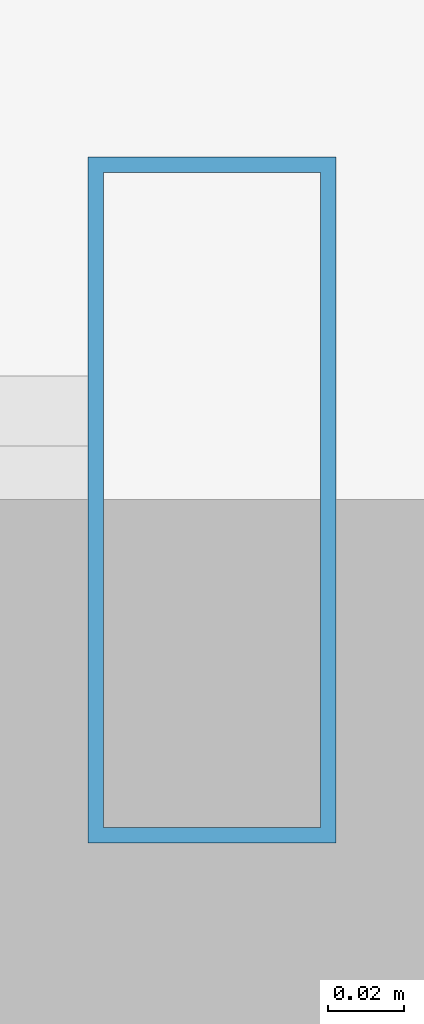
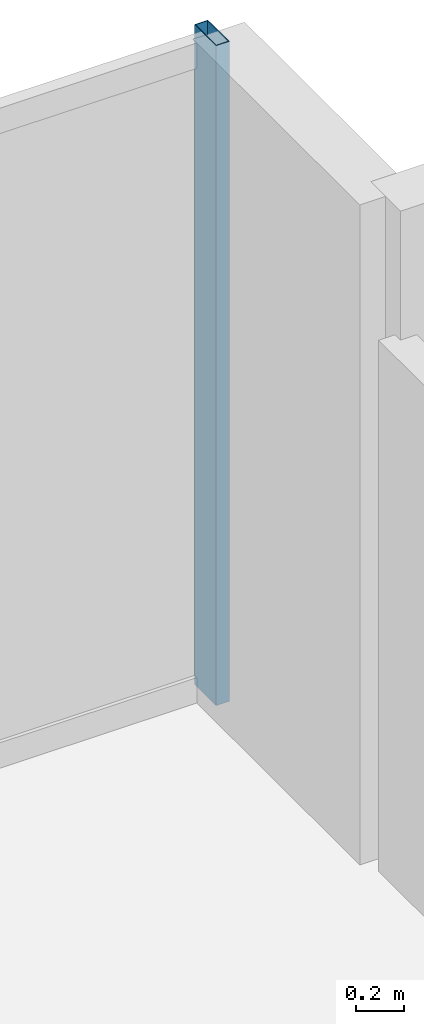
# One storey, part 25 of 39: 1 member, 1 element without a shape of its own.
"""IFC4 building model written with IfcOpenShell, lengths in metres."""

from ifc_helpers import new_model, si_unit, direction, frame, origin, origin_2d, place, context, subcontext, project, spatial, hollow_rectangle, extrude, source, transform, mapped, material, material_profile, profile_set, type_object, element, aggregate, save


model = new_model("IFC4")

# Units and contexts
model_context = context("Model", 3, precision=1e-05, world=origin(), true_north=direction((0.0, 1.0)))
body_context = subcontext(model_context, "Body", "Model", "MODEL_VIEW")
ifc_project = project(units=[si_unit("LENGTHUNIT", "METRE"), si_unit("AREAUNIT", "SQUARE_METRE"), si_unit("VOLUMEUNIT", "CUBIC_METRE"), si_unit("PLANEANGLEUNIT", "RADIAN"), si_unit("MASSUNIT", "GRAM", prefix="KILO")], contexts=[model_context])

# Site, building, storey
site_placement = place(None, origin())
site = spatial("IfcSite", under=ifc_project, at=site_placement, CompositionType="ELEMENT")
building_placement = place(site_placement, origin())
building = spatial("IfcBuilding", under=site, at=building_placement, Name="Nahalor Promenade Grand Hotel", CompositionType="ELEMENT")
storey_placement = place(building_placement, frame((0.0, 0.0, 135.75)))
storey = spatial("IfcBuildingStorey", under=building, at=storey_placement, Name="L34", CompositionType="ELEMENT", Elevation=135.75)

# Curtain wall, member
ifc_material = material(Name="Anodised Bronze Aluminium EN AW-6063 T6", Category="aluminium")
curtain_wall_type = type_object("IfcCurtainWallType", Name="CW2 Typical Hotel Flush Bronze Unitised Curtain Wall", PredefinedType="USERDEFINED", material=ifc_material)
curtain_wall_placement = place(storey_placement, origin())
curtain_wall = element("IfcCurtainWall", 1, at=curtain_wall_placement, inside=storey, type_object=curtain_wall_type, Name="L34 Curtain Wall CW-L34-N-3", ObjectType="UNITISED_CURTAIN_WALL", PredefinedType="USERDEFINED")
ifc_material_profile = material_profile(ifc_material, hollow_rectangle(XDim=0.065, YDim=0.18, WallThickness=0.004, at=origin_2d()), Name="CWM 65x180x4")
ifc_profile_set = profile_set([ifc_material_profile], Name="Anodised Bronze Aluminium EN AW-6063 T6")
member_type = type_object("IfcMemberType", Name="CWM2 Typical Bronze Mullion 65x180", PredefinedType="MULLION", material=ifc_profile_set)
shared_shape = source(origin(), body_context, "Body", "SweptSolid", [
    extrude(hollow_rectangle(XDim=0.065, YDim=0.18, WallThickness=0.004, at=origin_2d()), origin(), (0.0, 0.0, 1.0), 3.3798828125),
])
member_placement = place(storey_placement, frame((21.027587890625, 23.860107421875, 0.0), z_axis=(0.0, 0.0, 1.0), x_axis=(1.0, 0.0, 0.0)))
member = element("IfcMember", 2, at=member_placement, type_object=member_type, Name="CW-L34-N-3 Mullion 2", PredefinedType="MULLION", context=body_context, shape_type="MappedRepresentation", body=[
    mapped(shared_shape, transform((0.0, 0.0, 0.0), scale=1.0)),
])
aggregate(curtain_wall, [member])

save(model, "model.ifc")
